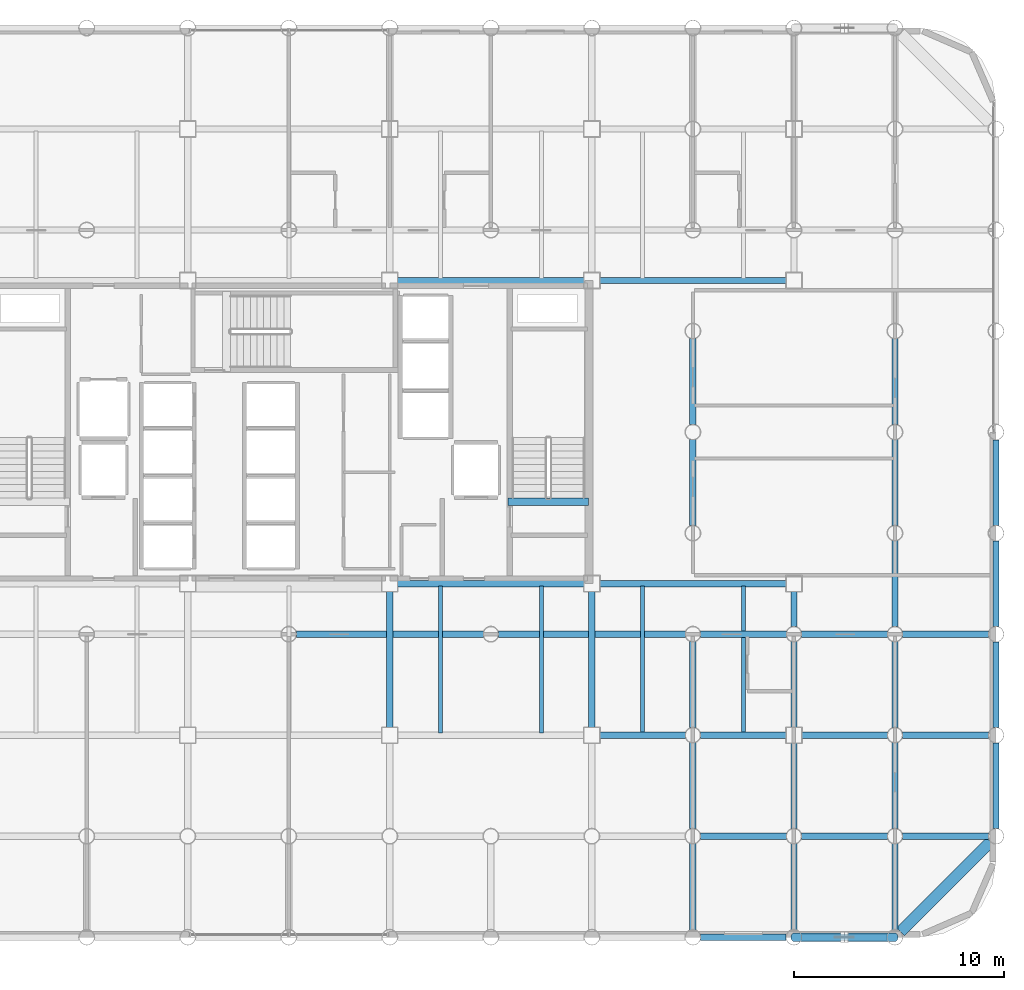
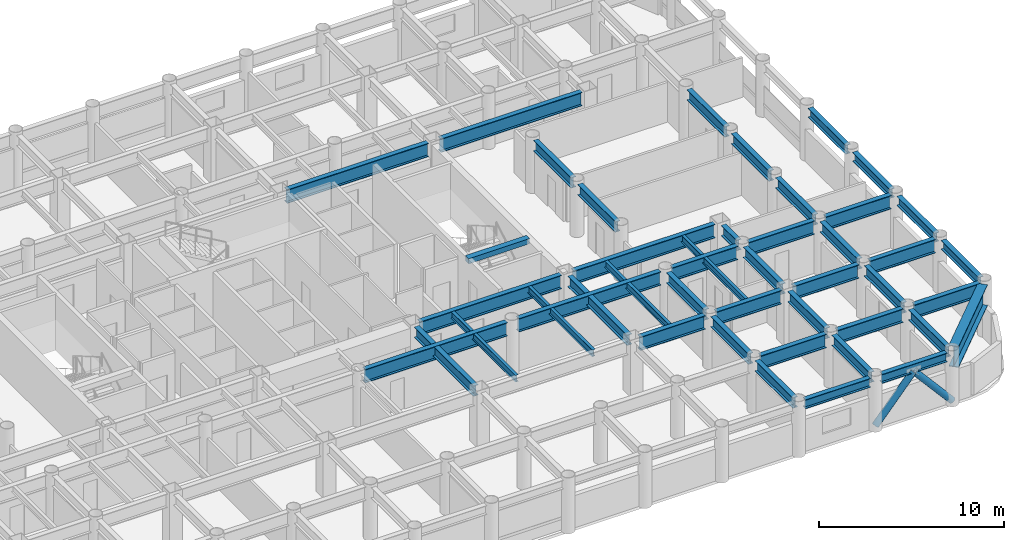
# One storey, part 7 of 19: 45 beams, 2 members.
"""IFC4 building model written with IfcOpenShell, lengths in metres."""

from ifc_helpers import new_model, si_unit, direction, frame, origin, origin_2d, place, context, subcontext, project, spatial, rectangle, hollow_circle, i_section, extrude, material, material_profile, profile_set, type_object, element, save


model = new_model("IFC4")

# Units and contexts
model_context = context("Model", 3, precision=1e-05, world=origin(), true_north=direction((0.0, 1.0)))
body_context = subcontext(model_context, "Body", "Model", "MODEL_VIEW")
ifc_project = project(units=[si_unit("LENGTHUNIT", "METRE"), si_unit("AREAUNIT", "SQUARE_METRE"), si_unit("VOLUMEUNIT", "CUBIC_METRE"), si_unit("PLANEANGLEUNIT", "RADIAN"), si_unit("MASSUNIT", "GRAM", prefix="KILO")], contexts=[model_context])

# Site, building, storey
site_placement = place(None, origin())
site = spatial("IfcSite", under=ifc_project, at=site_placement, CompositionType="ELEMENT")
building_placement = place(site_placement, origin())
building = spatial("IfcBuilding", under=site, at=building_placement, Name="Kallvorn Hotel Tower", CompositionType="ELEMENT")
storey_placement = place(building_placement, frame((0.0, 0.0, 67.0)))
storey = spatial("IfcBuildingStorey", under=building, at=storey_placement, Name="L15", CompositionType="ELEMENT", Elevation=67.0)

# Beams
ifc_material_1 = material(Name="Structural steel S355JR", Category="steel")
ifc_material_profile_1 = material_profile(ifc_material_1, i_section(OverallWidth=0.300048828125, OverallDepth=0.60009765625, WebThickness=0.015380859375, FlangeThickness=0.030029296875, at=origin_2d()), Name="HE 600 B")
ifc_profile_set_1 = profile_set([ifc_material_profile_1], Name="Structural steel S355JR")
beam_type_1 = type_object("IfcBeamType", Name="BM_HE600B", PredefinedType="SPANDREL", material=ifc_profile_set_1)
for number, where, z_axis, x_axis, name in (
    (1, (19.571044921875, -24.0, 3.219970703125), (1.0, 0.0, 0.0), (0.0, 1.0, 0.0), "L16 Perimeter Spandrel 160"),
    (2, (24.37109375, -24.0, 3.219970703125), (1.0, 0.0, 0.0), (0.0, 1.0, 0.0), "L16 Perimeter Spandrel 161"),
):
    element("IfcBeam", number, at=place(storey_placement, frame(where, z_axis=z_axis, x_axis=x_axis)), inside=storey, type_object=beam_type_1, Name=name, PredefinedType="SPANDREL", context=body_context, shape_type="SweptSolid", body=[
        extrude(i_section(OverallWidth=0.300048828125, OverallDepth=0.60009765625, WebThickness=0.015380859375, FlangeThickness=0.030029296875, at=origin_2d()), origin(), (0.0, 0.0, 1.0), 4.057861328125),
    ])
for number, where, z_axis, x_axis, name in (
    (3, (33.60009765625, -18.8291015625, 3.219970703125), (0.0, 1.0, 0.0), (-1.0, 0.0, 0.0), "L16 Perimeter Spandrel 182"),
    (4, (33.60009765625, -14.029052734375, 3.219970703125), (0.0, 1.0, 0.0), (-1.0, 0.0, 0.0), "L16 Perimeter Spandrel 183"),
    (5, (33.60009765625, -9.22900390625, 3.219970703125), (0.0, 1.0, 0.0), (-1.0, 0.0, 0.0), "L16 Perimeter Spandrel 184"),
):
    element("IfcBeam", number, at=place(storey_placement, frame(where, z_axis=z_axis, x_axis=x_axis)), inside=storey, type_object=beam_type_1, Name=name, PredefinedType="SPANDREL", context=body_context, shape_type="SweptSolid", body=[
        extrude(i_section(OverallWidth=0.300048828125, OverallDepth=0.60009765625, WebThickness=0.015380859375, FlangeThickness=0.030029296875, at=origin_2d()), origin(), (0.0, 0.0, 1.0), 4.05810546875),
    ])
beam_1_placement = place(storey_placement, frame((33.60009765625, -4.428955078125, 3.219970703125), z_axis=(0.0, 1.0, 0.0), x_axis=(-1.0, 0.0, 0.0)))
element("IfcBeam", 6, at=beam_1_placement, inside=storey, type_object=beam_type_1, Name="L16 Perimeter Spandrel 185", PredefinedType="SPANDREL", context=body_context, shape_type="SweptSolid", body=[
    extrude(i_section(OverallWidth=0.300048828125, OverallDepth=0.60009765625, WebThickness=0.015380859375, FlangeThickness=0.030029296875, at=origin_2d()), origin(), (0.0, 0.0, 1.0), 4.057861328125),
])
ifc_material_2 = material(Name="Structural steel S355JR", Category="steel")
ifc_material_profile_2 = material_profile(ifc_material_2, i_section(OverallWidth=0.300048828125, OverallDepth=0.699951171875, WebThickness=0.01708984375, FlangeThickness=0.031982421875, at=origin_2d()), Name="HE 700 B")
ifc_profile_set_2 = profile_set([ifc_material_profile_2], Name="Structural steel S355JR")
beam_type_2 = type_object("IfcBeamType", Name="BM_HE700B", PredefinedType="BEAM", material=ifc_profile_set_2)
for number, where, z_axis, x_axis, name in (
    (7, (4.800048828125, -14.02490234375, 3.169921875), (0.0, 1.0, 0.0), (-1.0, 0.0, 0.0), "L16 Primary Y-Girder 115"),
    (8, (14.39990234375, -14.02490234375, 3.169921875), (0.0, 1.0, 0.0), (-1.0, 0.0, 0.0), "L16 Primary Y-Girder 123"),
):
    element("IfcBeam", number, at=place(storey_placement, frame(where, z_axis=z_axis, x_axis=x_axis)), inside=storey, type_object=beam_type_2, Name=name, PredefinedType="BEAM", context=body_context, shape_type="SweptSolid", body=[
        extrude(i_section(OverallWidth=0.300048828125, OverallDepth=0.699951171875, WebThickness=0.01708984375, FlangeThickness=0.031982421875, at=origin_2d()), origin(), (0.0, 0.0, 1.0), 6.449951171875),
    ])
beam_2_placement = place(storey_placement, frame((19.199951171875, -23.64404296875, 3.169921875), z_axis=(0.0, 1.0, 0.0), x_axis=(-1.0, 0.0, 0.0)))
element("IfcBeam", 9, at=beam_2_placement, inside=storey, type_object=beam_type_2, Name="L16 Primary Y-Girder 126", PredefinedType="BEAM", context=body_context, shape_type="SweptSolid", body=[
    extrude(i_section(OverallWidth=0.300048828125, OverallDepth=0.699951171875, WebThickness=0.01708984375, FlangeThickness=0.031982421875, at=origin_2d()), origin(), (0.0, 0.0, 1.0), 4.088134765625),
])
for number, where, z_axis, x_axis, name in (
    (10, (19.199951171875, -18.843994140625, 3.169921875), (0.0, 1.0, 0.0), (-1.0, 0.0, 0.0), "L16 Primary Y-Girder 127"),
    (11, (19.199951171875, -14.0439453125, 3.169921875), (0.0, 1.0, 0.0), (-1.0, 0.0, 0.0), "L16 Primary Y-Girder 128"),
):
    element("IfcBeam", number, at=place(storey_placement, frame(where, z_axis=z_axis, x_axis=x_axis)), inside=storey, type_object=beam_type_2, Name=name, PredefinedType="BEAM", context=body_context, shape_type="SweptSolid", body=[
        extrude(i_section(OverallWidth=0.300048828125, OverallDepth=0.699951171875, WebThickness=0.01708984375, FlangeThickness=0.031982421875, at=origin_2d()), origin(), (0.0, 0.0, 1.0), 4.087890625),
    ])
for number, where, z_axis, x_axis, name in (
    (12, (19.199951171875, -4.444091796875, 3.169921875), (0.0, 1.0, 0.0), (-1.0, 0.0, 0.0), "L16 Primary Y-Girder 130"),
    (13, (19.199951171875, 0.35595703125, 3.169921875), (0.0, 1.0, 0.0), (-1.0, 0.0, 0.0), "L16 Primary Y-Girder 131"),
    (14, (24.0, -23.64404296875, 3.169921875), (0.0, 1.0, 0.0), (-1.0, 0.0, 0.0), "L16 Primary Y-Girder 135"),
):
    element("IfcBeam", number, at=place(storey_placement, frame(where, z_axis=z_axis, x_axis=x_axis)), inside=storey, type_object=beam_type_2, Name=name, PredefinedType="BEAM", context=body_context, shape_type="SweptSolid", body=[
        extrude(i_section(OverallWidth=0.300048828125, OverallDepth=0.699951171875, WebThickness=0.01708984375, FlangeThickness=0.031982421875, at=origin_2d()), origin(), (0.0, 0.0, 1.0), 4.088134765625),
    ])
beam_3_placement = place(storey_placement, frame((24.0, -18.843994140625, 3.169921875), z_axis=(0.0, 1.0, 0.0), x_axis=(-1.0, 0.0, 0.0)))
element("IfcBeam", 15, at=beam_3_placement, inside=storey, type_object=beam_type_2, Name="L16 Primary Y-Girder 136", PredefinedType="BEAM", context=body_context, shape_type="SweptSolid", body=[
    extrude(i_section(OverallWidth=0.300048828125, OverallDepth=0.699951171875, WebThickness=0.01708984375, FlangeThickness=0.031982421875, at=origin_2d()), origin(), (0.0, 0.0, 1.0), 4.069091796875),
])
beam_4_placement = place(storey_placement, frame((24.0, -14.02490234375, 3.169921875), z_axis=(0.0, 1.0, 0.0), x_axis=(-1.0, 0.0, 0.0)))
element("IfcBeam", 16, at=beam_4_placement, inside=storey, type_object=beam_type_2, Name="L16 Primary Y-Girder 137", PredefinedType="BEAM", context=body_context, shape_type="SweptSolid", body=[
    extrude(i_section(OverallWidth=0.300048828125, OverallDepth=0.699951171875, WebThickness=0.01708984375, FlangeThickness=0.031982421875, at=origin_2d()), origin(), (0.0, 0.0, 1.0), 4.06884765625),
])
beam_5_placement = place(storey_placement, frame((24.0, -9.243896484375, 3.169921875), z_axis=(0.0, 1.0, 0.0), x_axis=(-1.0, 0.0, 0.0)))
element("IfcBeam", 17, at=beam_5_placement, inside=storey, type_object=beam_type_2, Name="L16 Primary Y-Girder 138", PredefinedType="BEAM", context=body_context, shape_type="SweptSolid", body=[
    extrude(i_section(OverallWidth=0.300048828125, OverallDepth=0.699951171875, WebThickness=0.01708984375, FlangeThickness=0.031982421875, at=origin_2d()), origin(), (0.0, 0.0, 1.0), 1.6689453125),
])
beam_6_placement = place(storey_placement, frame((28.800048828125, -23.64404296875, 3.169921875), z_axis=(0.0, 1.0, 0.0), x_axis=(-1.0, 0.0, 0.0)))
element("IfcBeam", 18, at=beam_6_placement, inside=storey, type_object=beam_type_2, Name="L16 Primary Y-Girder 142", PredefinedType="BEAM", context=body_context, shape_type="SweptSolid", body=[
    extrude(i_section(OverallWidth=0.300048828125, OverallDepth=0.699951171875, WebThickness=0.01708984375, FlangeThickness=0.031982421875, at=origin_2d()), origin(), (0.0, 0.0, 1.0), 4.088134765625),
])
for number, where, z_axis, x_axis, name in (
    (19, (28.800048828125, -18.843994140625, 3.169921875), (0.0, 1.0, 0.0), (-1.0, 0.0, 0.0), "L16 Primary Y-Girder 143"),
    (20, (28.800048828125, -14.0439453125, 3.169921875), (0.0, 1.0, 0.0), (-1.0, 0.0, 0.0), "L16 Primary Y-Girder 144"),
    (21, (28.800048828125, -9.243896484375, 3.169921875), (0.0, 1.0, 0.0), (-1.0, 0.0, 0.0), "L16 Primary Y-Girder 145"),
):
    element("IfcBeam", number, at=place(storey_placement, frame(where, z_axis=z_axis, x_axis=x_axis)), inside=storey, type_object=beam_type_2, Name=name, PredefinedType="BEAM", context=body_context, shape_type="SweptSolid", body=[
        extrude(i_section(OverallWidth=0.300048828125, OverallDepth=0.699951171875, WebThickness=0.01708984375, FlangeThickness=0.031982421875, at=origin_2d()), origin(), (0.0, 0.0, 1.0), 4.087890625),
    ])
for number, where, z_axis, x_axis, name in (
    (22, (28.800048828125, -4.444091796875, 3.169921875), (0.0, 1.0, 0.0), (-1.0, 0.0, 0.0), "L16 Primary Y-Girder 146"),
    (23, (28.800048828125, 0.35595703125, 3.169921875), (0.0, 1.0, 0.0), (-1.0, 0.0, 0.0), "L16 Primary Y-Girder 147"),
):
    element("IfcBeam", number, at=place(storey_placement, frame(where, z_axis=z_axis, x_axis=x_axis)), inside=storey, type_object=beam_type_2, Name=name, PredefinedType="BEAM", context=body_context, shape_type="SweptSolid", body=[
        extrude(i_section(OverallWidth=0.300048828125, OverallDepth=0.699951171875, WebThickness=0.01708984375, FlangeThickness=0.031982421875, at=origin_2d()), origin(), (0.0, 0.0, 1.0), 4.088134765625),
    ])
ifc_material_3 = material(Name="Structural steel S355JR", Category="steel")
ifc_material_profile_3 = material_profile(ifc_material_3, i_section(OverallWidth=0.300048828125, OverallDepth=0.89990234375, WebThickness=0.0185546875, FlangeThickness=0.034912109375, at=origin_2d()), Name="HE 900 B")
ifc_profile_set_3 = profile_set([ifc_material_profile_3], Name="Structural steel S355JR")
beam_type_3 = type_object("IfcBeamType", Name="BM_HE900B", PredefinedType="BEAM", material=ifc_profile_set_3)
for number, where, z_axis, x_axis, name in (
    (24, (19.555908203125, -19.199951171875, 3.070068359375), (1.0, 0.0, 0.0), (0.0, 1.0, 0.0), "L16 Primary X-Girder 11"),
    (25, (24.35595703125, -19.199951171875, 3.070068359375), (1.0, 0.0, 0.0), (0.0, 1.0, 0.0), "L16 Primary X-Girder 12"),
):
    element("IfcBeam", number, at=place(storey_placement, frame(where, z_axis=z_axis, x_axis=x_axis)), inside=storey, type_object=beam_type_3, Name=name, PredefinedType="BEAM", context=body_context, shape_type="SweptSolid", body=[
        extrude(i_section(OverallWidth=0.300048828125, OverallDepth=0.89990234375, WebThickness=0.0185546875, FlangeThickness=0.034912109375, at=origin_2d()), origin(), (0.0, 0.0, 1.0), 4.088134765625),
    ])
beam_7_placement = place(storey_placement, frame((29.156005859375, -19.199951171875, 3.070068359375), z_axis=(1.0, 0.0, 0.0), x_axis=(0.0, 1.0, 0.0)))
element("IfcBeam", 26, at=beam_7_placement, inside=storey, type_object=beam_type_3, Name="L16 Primary X-Girder 13", PredefinedType="BEAM", context=body_context, shape_type="SweptSolid", body=[
    extrude(i_section(OverallWidth=0.300048828125, OverallDepth=0.89990234375, WebThickness=0.0185546875, FlangeThickness=0.034912109375, at=origin_2d()), origin(), (0.0, 0.0, 1.0), 4.087890625),
])
for number, where, z_axis, x_axis, name in (
    (27, (14.77490234375, -14.39990234375, 3.070068359375), (1.0, 0.0, 0.0), (0.0, 1.0, 0.0), "L16 Primary X-Girder 20"),
    (28, (19.555908203125, -14.39990234375, 3.070068359375), (1.0, 0.0, 0.0), (0.0, 1.0, 0.0), "L16 Primary X-Girder 21"),
    (29, (24.375, -14.39990234375, 3.070068359375), (1.0, 0.0, 0.0), (0.0, 1.0, 0.0), "L16 Primary X-Girder 22"),
):
    element("IfcBeam", number, at=place(storey_placement, frame(where, z_axis=z_axis, x_axis=x_axis)), inside=storey, type_object=beam_type_3, Name=name, PredefinedType="BEAM", context=body_context, shape_type="SweptSolid", body=[
        extrude(i_section(OverallWidth=0.300048828125, OverallDepth=0.89990234375, WebThickness=0.0185546875, FlangeThickness=0.034912109375, at=origin_2d()), origin(), (0.0, 0.0, 1.0), 4.069091796875),
    ])
beam_8_placement = place(storey_placement, frame((29.156005859375, -14.39990234375, 3.070068359375), z_axis=(1.0, 0.0, 0.0), x_axis=(0.0, 1.0, 0.0)))
element("IfcBeam", 30, at=beam_8_placement, inside=storey, type_object=beam_type_3, Name="L16 Primary X-Girder 23", PredefinedType="BEAM", context=body_context, shape_type="SweptSolid", body=[
    extrude(i_section(OverallWidth=0.300048828125, OverallDepth=0.89990234375, WebThickness=0.0185546875, FlangeThickness=0.034912109375, at=origin_2d()), origin(), (0.0, 0.0, 1.0), 4.087890625),
])
for number, where, z_axis, x_axis, name in (
    (31, (0.35595703125, -9.60009765625, 3.070068359375), (1.0, 0.0, 0.0), (0.0, 1.0, 0.0), "L16 Primary X-Girder 28"),
    (32, (9.9560546875, -9.60009765625, 3.070068359375), (1.0, 0.0, 0.0), (0.0, 1.0, 0.0), "L16 Primary X-Girder 29"),
):
    element("IfcBeam", number, at=place(storey_placement, frame(where, z_axis=z_axis, x_axis=x_axis)), inside=storey, type_object=beam_type_3, Name=name, PredefinedType="BEAM", context=body_context, shape_type="SweptSolid", body=[
        extrude(i_section(OverallWidth=0.300048828125, OverallDepth=0.89990234375, WebThickness=0.0185546875, FlangeThickness=0.034912109375, at=origin_2d()), origin(), (0.0, 0.0, 1.0), 8.887939453125),
    ])
for number, where, z_axis, x_axis, name in (
    (33, (19.555908203125, -9.60009765625, 3.070068359375), (1.0, 0.0, 0.0), (0.0, 1.0, 0.0), "L16 Primary X-Girder 30"),
    (34, (24.35595703125, -9.60009765625, 3.070068359375), (1.0, 0.0, 0.0), (0.0, 1.0, 0.0), "L16 Primary X-Girder 31"),
):
    element("IfcBeam", number, at=place(storey_placement, frame(where, z_axis=z_axis, x_axis=x_axis)), inside=storey, type_object=beam_type_3, Name=name, PredefinedType="BEAM", context=body_context, shape_type="SweptSolid", body=[
        extrude(i_section(OverallWidth=0.300048828125, OverallDepth=0.89990234375, WebThickness=0.0185546875, FlangeThickness=0.034912109375, at=origin_2d()), origin(), (0.0, 0.0, 1.0), 4.088134765625),
    ])
beam_9_placement = place(storey_placement, frame((29.156005859375, -9.60009765625, 3.070068359375), z_axis=(1.0, 0.0, 0.0), x_axis=(0.0, 1.0, 0.0)))
element("IfcBeam", 35, at=beam_9_placement, inside=storey, type_object=beam_type_3, Name="L16 Primary X-Girder 32", PredefinedType="BEAM", context=body_context, shape_type="SweptSolid", body=[
    extrude(i_section(OverallWidth=0.300048828125, OverallDepth=0.89990234375, WebThickness=0.0185546875, FlangeThickness=0.034912109375, at=origin_2d()), origin(), (0.0, 0.0, 1.0), 4.087890625),
])
beam_10_placement = place(storey_placement, frame((5.175048828125, -7.199951171875, 3.070068359375), z_axis=(1.0, 0.0, 0.0), x_axis=(0.0, 1.0, 0.0)))
element("IfcBeam", 36, at=beam_10_placement, inside=storey, type_object=beam_type_3, Name="L16 Primary X-Girder 35", PredefinedType="BEAM", context=body_context, shape_type="SweptSolid", body=[
    extrude(i_section(OverallWidth=0.300048828125, OverallDepth=0.89990234375, WebThickness=0.0185546875, FlangeThickness=0.034912109375, at=origin_2d()), origin(), (0.0, 0.0, 1.0), 8.849853515625),
])
beam_11_placement = place(storey_placement, frame((14.77490234375, -7.199951171875, 3.070068359375), z_axis=(1.0, 0.0, 0.0), x_axis=(0.0, 1.0, 0.0)))
element("IfcBeam", 37, at=beam_11_placement, inside=storey, type_object=beam_type_3, Name="L16 Primary X-Girder 36", PredefinedType="BEAM", context=body_context, shape_type="SweptSolid", body=[
    extrude(i_section(OverallWidth=0.300048828125, OverallDepth=0.89990234375, WebThickness=0.0185546875, FlangeThickness=0.034912109375, at=origin_2d()), origin(), (0.0, 0.0, 1.0), 8.85009765625),
])
beam_12_placement = place(storey_placement, frame((5.175048828125, 7.199951171875, 3.070068359375), z_axis=(1.0, 0.0, 0.0), x_axis=(0.0, 1.0, 0.0)))
element("IfcBeam", 38, at=beam_12_placement, inside=storey, type_object=beam_type_3, Name="L16 Primary X-Girder 40", PredefinedType="BEAM", context=body_context, shape_type="SweptSolid", body=[
    extrude(i_section(OverallWidth=0.300048828125, OverallDepth=0.89990234375, WebThickness=0.0185546875, FlangeThickness=0.034912109375, at=origin_2d()), origin(), (0.0, 0.0, 1.0), 8.849853515625),
])
beam_13_placement = place(storey_placement, frame((14.77490234375, 7.199951171875, 3.070068359375), z_axis=(1.0, 0.0, 0.0), x_axis=(0.0, 1.0, 0.0)))
element("IfcBeam", 39, at=beam_13_placement, inside=storey, type_object=beam_type_3, Name="L16 Primary X-Girder 41", PredefinedType="BEAM", context=body_context, shape_type="SweptSolid", body=[
    extrude(i_section(OverallWidth=0.300048828125, OverallDepth=0.89990234375, WebThickness=0.0185546875, FlangeThickness=0.034912109375, at=origin_2d()), origin(), (0.0, 0.0, 1.0), 8.85009765625),
])
ifc_material_4 = material(Name="Structural steel S355JR", Category="steel")
ifc_material_profile_4 = material_profile(ifc_material_4, i_section(OverallWidth=0.18994140625, OverallDepth=0.449951171875, WebThickness=0.009521484375, FlangeThickness=0.0146484375, at=origin_2d()), Name="IPE 450")
ifc_profile_set_4 = profile_set([ifc_material_profile_4], Name="Structural steel S355JR")
beam_type_4 = type_object("IfcBeamType", Name="BM_IPE450", PredefinedType="JOIST", material=ifc_profile_set_4)
for number, where, z_axis, x_axis, name in (
    (40, (7.199951171875, -14.300048828125, 3.294921875), (0.0, 1.0, 0.0), (-1.0, 0.0, 0.0), "L16 Secondary Composite Joist 202"),
    (41, (12.0, -14.300048828125, 3.294921875), (0.0, 1.0, 0.0), (-1.0, 0.0, 0.0), "L16 Secondary Composite Joist 204"),
    (42, (16.800048828125, -14.300048828125, 3.294921875), (0.0, 1.0, 0.0), (-1.0, 0.0, 0.0), "L16 Secondary Composite Joist 206"),
    (43, (21.60009765625, -14.300048828125, 3.294921875), (0.0, 1.0, 0.0), (-1.0, 0.0, 0.0), "L16 Secondary Composite Joist 208"),
):
    element("IfcBeam", number, at=place(storey_placement, frame(where, z_axis=z_axis, x_axis=x_axis)), inside=storey, type_object=beam_type_4, Name=name, PredefinedType="JOIST", context=body_context, shape_type="SweptSolid", body=[
        extrude(i_section(OverallWidth=0.18994140625, OverallDepth=0.449951171875, WebThickness=0.009521484375, FlangeThickness=0.0146484375, at=origin_2d()), origin(), (0.0, 0.0, 1.0), 7.0),
    ])
ifc_material_5 = material(Name="Structural steel S355JR", Category="steel")
ifc_material_profile_5 = material_profile(ifc_material_5, i_section(OverallWidth=0.550048828125, OverallDepth=1.39990234375, WebThickness=0.02490234375, FlangeThickness=0.044921875, at=origin_2d()), Name="PG 1400x550x25x45")
ifc_profile_set_5 = profile_set([ifc_material_profile_5], Name="Structural steel S355JR")
beam_type_5 = type_object("IfcBeamType", Name="BM_PG_1400", PredefinedType="BEAM", material=ifc_profile_set_5)
beam_14_placement = place(storey_placement, frame((33.337646484375, -19.46240234375, 2.820068359375), z_axis=(-0.707106781187, -0.707106781187, 0.0), x_axis=(0.707106781187, -0.707106781187, 0.0)))
element("IfcBeam", 44, at=beam_14_placement, inside=storey, type_object=beam_type_5, Name="L16 Rounded Corner Tie Beam 190", PredefinedType="BEAM", context=body_context, shape_type="SweptSolid", body=[
    extrude(i_section(OverallWidth=0.550048828125, OverallDepth=1.39990234375, WebThickness=0.02490234375, FlangeThickness=0.044921875, at=origin_2d()), origin(), (0.0, 0.0, 1.0), 6.04638671875),
])
ifc_material_6 = material(Name="Concrete C50/60", Category="concrete")
ifc_material_profile_6 = material_profile(ifc_material_6, rectangle(XDim=0.360107421875, YDim=0.340087890625, at=origin_2d()), Name="RC 360x340")
ifc_profile_set_6 = profile_set([ifc_material_profile_6], Name="Concrete C50/60")
beam_type_6 = type_object("IfcBeamType", Name="BM_RC_400x360", PredefinedType="BEAM", material=ifc_profile_set_6)
beam_15_placement = place(storey_placement, frame((14.239990234375, -3.31005859375, 3.35009765625), z_axis=(-1.0, 0.0, 0.0), x_axis=(0.0, -1.0, 0.0)))
element("IfcBeam", 45, at=beam_15_placement, inside=storey, type_object=beam_type_6, Name="L16 Stair ST2 Arrival Trimmer Beam", PredefinedType="BEAM", context=body_context, shape_type="SweptSolid", body=[
    extrude(rectangle(XDim=0.360107421875, YDim=0.340087890625, at=origin_2d()), origin(), (0.0, 0.0, 1.0), 3.820068359375),
])

# Members
ifc_material_7 = material(Name="Structural steel S355J2H", Category="steel")
ifc_material_profile_7 = material_profile(ifc_material_7, hollow_circle(Radius=0.203125, WallThickness=0.01611328125, at=origin_2d()), Name="CHS 406.4x16")
ifc_profile_set_7 = profile_set([ifc_material_profile_7], Name="Structural steel S355J2H")
member_type = type_object("IfcMemberType", Name="MBR_EXO_CHS406", PredefinedType="BRACE", material=ifc_profile_set_7)
for number, where, z_axis, x_axis, name in (
    (46, (24.01318359375, -24.0, 0.195068359375), (0.65346062529, 0.0, 0.756960508346), (0.0, 1.0, 0.0), "L15 Exoskeleton K-Brace S2A"),
    (47, (28.786865234375, -24.0, 0.195068359375), (-0.65346062529, 0.0, 0.756960508346), (0.0, -1.0, 0.0), "L15 Exoskeleton K-Brace S2B"),
):
    element("IfcMember", number, at=place(storey_placement, frame(where, z_axis=z_axis, x_axis=x_axis)), inside=storey, type_object=member_type, Name=name, PredefinedType="BRACE", context=body_context, shape_type="SweptSolid", body=[
        extrude(hollow_circle(Radius=0.203125, WallThickness=0.01611328125, at=origin_2d()), origin(), (0.0, 0.0, 1.0), 3.632568359375),
    ])

save(model, "model.ifc")
